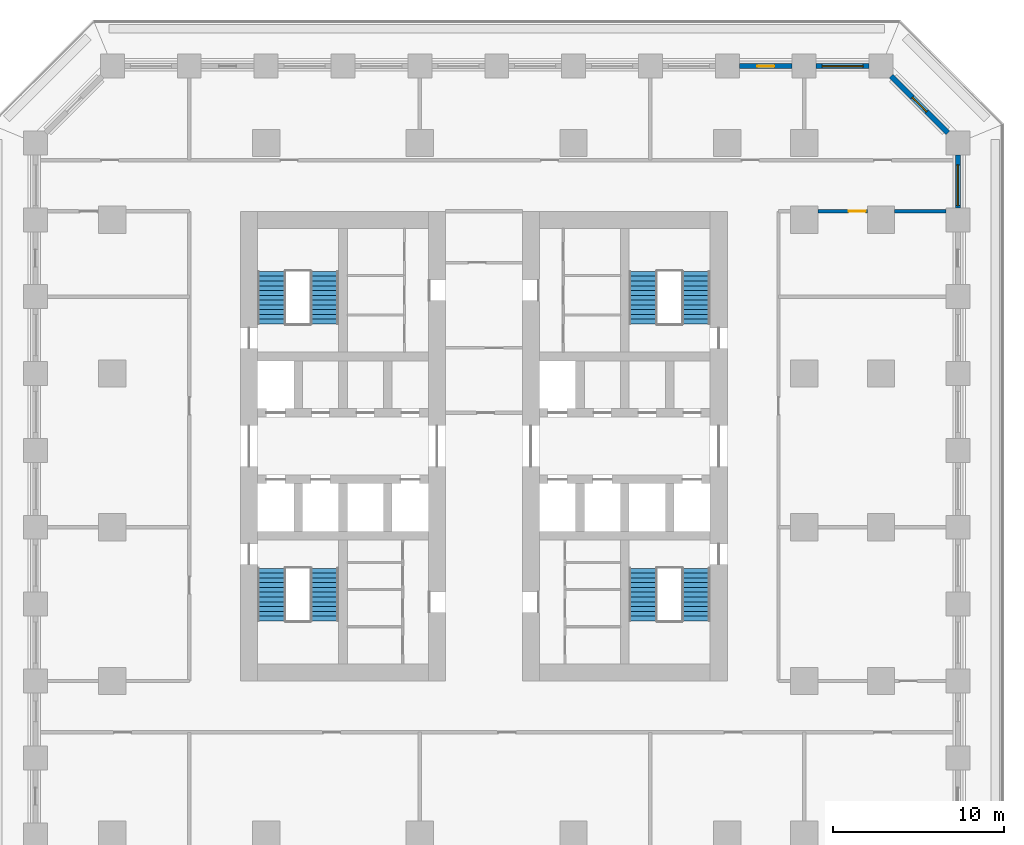
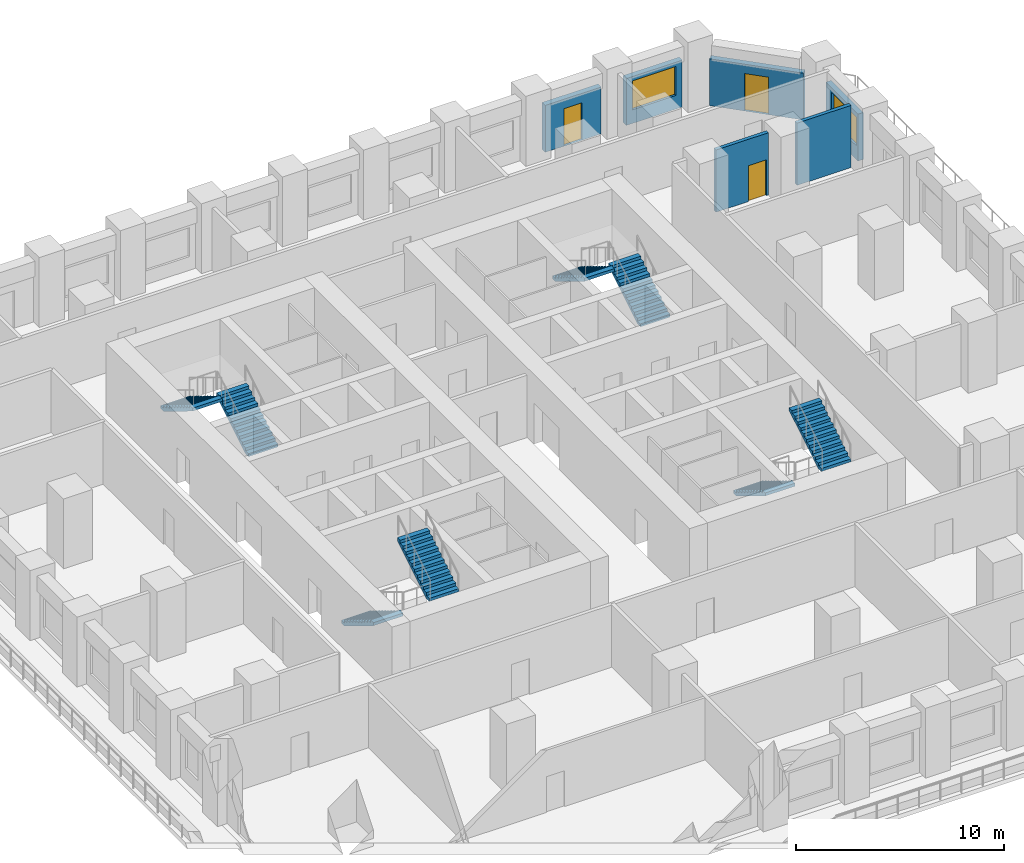
# One storey, part 8 of 11: 8 stair flights, 6 walls, 3 doors, 2 windows, 5 openings, 4 elements without a shape of their own.
"""IFC4 building model written with IfcOpenShell, lengths in metres."""

from ifc_helpers import new_model, si_unit, direction, frame, frame_2d, origin, place, context, subcontext, project, spatial, polyline, rectangle, outline, extrude, material, layer, layer_set, type_object, element, fill, aggregate, save


model = new_model("IFC4")

# Units and contexts
model_context = context("Model", 3, precision=1e-05, world=origin(), true_north=direction((0.0, 1.0)))
body_context = subcontext(model_context, "Body", "Model", "MODEL_VIEW")
ifc_project = project(units=[si_unit("LENGTHUNIT", "METRE"), si_unit("AREAUNIT", "SQUARE_METRE"), si_unit("VOLUMEUNIT", "CUBIC_METRE"), si_unit("PLANEANGLEUNIT", "RADIAN"), si_unit("MASSUNIT", "GRAM", prefix="KILO")], contexts=[model_context])

# Site, building, storey
site_placement = place(None, origin())
site = spatial("IfcSite", under=ifc_project, at=site_placement, CompositionType="ELEMENT")
building_placement = place(site_placement, origin())
building = spatial("IfcBuilding", under=site, at=building_placement, Name="Corbel Stack Research Tower", CompositionType="ELEMENT")
storey_placement = place(building_placement, frame((0.0, 0.0, 54.199951171875)))
storey = spatial("IfcBuildingStorey", under=building, at=storey_placement, Name="L12", CompositionType="ELEMENT", Elevation=54.199951171875)

# Wall, opening, door
ifc_material_1 = material(Name="Fire-rated gypsum board partition on steel studs", Category="steel")
ifc_layer_1 = layer(ifc_material_1, 0.199951171875)
ifc_layer_set_1 = layer_set([ifc_layer_1], Name="Fire-rated gypsum board partition on steel studs")
wall_type_1 = type_object("IfcWallType", Name="Fire-rated partition 200 EI 60", PredefinedType="PARTITIONING", material=ifc_layer_set_1)
wall_1_placement = place(storey_placement, frame((26.199951171875, 18.5, 0.0), z_axis=(0.0, 0.0, 1.0), x_axis=(-1.0, 0.0, 0.0)))
wall_1 = element("IfcWall", 1, at=wall_1_placement, inside=storey, type_object=wall_type_1, Name="Partition L12-034", PredefinedType="PARTITIONING", context=body_context, shape_type="SweptSolid", body=[
    extrude(rectangle(XDim=2.89990234375, YDim=0.199951171875, at=frame_2d((1.449951171875, 0.0))), origin(), (0.0, 0.0, 1.0), 3.650146484375),
])
opening_1_placement = place(wall_1_placement, frame((0.10009765625, 0.0, 0.0)))
opening_1 = element("IfcOpeningElement", 2, at=opening_1_placement, cuts=wall_1, Name="Opening B2V1-018", PredefinedType="OPENING", context=body_context, shape_type="SweptSolid", body=[
    extrude(rectangle(XDim=1.0, YDim=2.10009765625, at=frame_2d((0.5, 1.050048828125))), frame((0.0, 0.10986328125, 0.0), z_axis=(0.0, -1.0, 0.0), x_axis=(1.0, 0.0, 0.0)), (0.0, 0.0, 1.0), 0.219970703125),
])
ifc_material_2 = material(Name="Painted steel fire door", Category="steel")
door_type_1 = type_object("IfcDoorType", Name="Fire door FD30S 1000 x 2100", OperationType="NOTDEFINED", PredefinedType="DOOR", material=ifc_material_2)
door_1_placement = place(opening_1_placement, origin())
door_1 = element("IfcDoor", 3, at=door_1_placement, inside=storey, type_object=door_type_1, Name="Door B2V1-018", OperationType="SINGLE_SWING_LEFT", OverallHeight=2.10009765625, OverallWidth=1.0, PredefinedType="DOOR", context=body_context, shape_type="SweptSolid", body=[
    extrude(rectangle(XDim=1.0, YDim=2.10009765625, at=frame_2d((0.5, 1.050048828125))), frame((0.0, 0.02490234375, 0.0), z_axis=(0.0, -1.0, 0.0), x_axis=(1.0, 0.0, 0.0)), (0.0, 0.0, 1.0), 0.050048828125),
])
fill(opening_1, door_1)

# Wall
wall_2_placement = place(storey_placement, frame((27.800048828125, 18.5, 0.0), z_axis=(0.0, 0.0, 1.0), x_axis=(1.0, 0.0, 0.0)))
element("IfcWall", 4, at=wall_2_placement, inside=storey, type_object=wall_type_1, Name="Partition L12-035", PredefinedType="PARTITIONING", context=body_context, shape_type="SweptSolid", body=[
    extrude(rectangle(XDim=3.0, YDim=0.199951171875, at=frame_2d((1.5, 0.0))), origin(), (0.0, 0.0, 1.0), 3.650146484375),
])

# Wall, opening, window
ifc_material_3 = material(Name="Concrete C45/55", Category="concrete")
ifc_layer_2 = layer(ifc_material_3, 0.300048828125)
ifc_layer_set_2 = layer_set([ifc_layer_2], Name="Concrete C45/55")
wall_type_2 = type_object("IfcWallType", Name="Terracotta-faced concrete wall 300", PredefinedType="SOLIDWALL", material=ifc_layer_set_2)
wall_3_placement = place(storey_placement, frame((31.5, 21.800048828125, 0.0), z_axis=(0.0, 0.0, 1.0), x_axis=(0.0, -1.0, 0.0)))
wall_3 = element("IfcWall", 5, at=wall_3_placement, inside=storey, type_object=wall_type_2, Name="Facade wall L12 E10", PredefinedType="SOLIDWALL", context=body_context, shape_type="SweptSolid", body=[
    extrude(rectangle(XDim=3.10009765625, YDim=0.300048828125, at=frame_2d((1.550048828125, 0.0))), origin(), (0.0, 0.0, 1.0), 2.75),
])
opening_2_placement = place(wall_3_placement, frame((0.574951171875, 0.0, 0.800048828125)))
opening_2 = element("IfcOpeningElement", 6, at=opening_2_placement, cuts=wall_3, Name="Opening W1", PredefinedType="OPENING", context=body_context, shape_type="SweptSolid", body=[
    extrude(rectangle(XDim=2.39990234375, YDim=1.699951171875, at=frame_2d((1.199951171875, 0.85009765625))), frame((0.0, 0.159912109375, 0.0), z_axis=(0.0, -1.0, 0.0), x_axis=(1.0, 0.0, 0.0)), (0.0, 0.0, 1.0), 0.320068359375),
])
ifc_material_4 = material(Name="Aluminium frame, clear double glazing", Category="aluminium")
window_type = type_object("IfcWindowType", Name="Window W1 2400 x 1700", PartitioningType="SINGLE_PANEL", PredefinedType="WINDOW", material=ifc_material_4)
window_1_placement = place(opening_2_placement, origin())
window_1 = element("IfcWindow", 7, at=window_1_placement, inside=storey, type_object=window_type, Name="Window W1 L12 E10", OverallHeight=1.699951171875, OverallWidth=2.39990234375, PartitioningType="SINGLE_PANEL", PredefinedType="WINDOW", context=body_context, shape_type="SweptSolid", body=[
    extrude(rectangle(XDim=2.39990234375, YDim=1.699951171875, at=frame_2d((1.199951171875, 0.85009765625))), frame((0.0, 0.030029296875, 0.0), z_axis=(0.0, -1.0, 0.0), x_axis=(1.0, 0.0, 0.0)), (0.0, 0.0, 1.0), 0.06005859375),
])
fill(opening_2, window_1)

# Wall, opening, door
wall_4_placement = place(storey_placement, frame((27.593994140625, 26.406005859375, 0.0), z_axis=(0.0, 0.0, 1.0), x_axis=(0.707106781187, -0.707106781187, 0.0)))
wall_4 = element("IfcWall", 8, at=wall_4_placement, inside=storey, type_object=wall_type_2, Name="Facade wall L12 NE01", PredefinedType="SOLIDWALL", context=body_context, shape_type="SweptSolid", body=[
    extrude(rectangle(XDim=4.683837890625, YDim=0.300048828125, at=frame_2d((2.341796875, 0.0))), origin(), (0.0, 0.0, 1.0), 2.75),
])
opening_3_placement = place(wall_4_placement, frame((1.741943359375, 0.0, 0.0)))
opening_3 = element("IfcOpeningElement", 9, at=opening_3_placement, cuts=wall_4, Name="Opening L12-B06", PredefinedType="OPENING", context=body_context, shape_type="SweptSolid", body=[
    extrude(rectangle(XDim=1.199951171875, YDim=2.199951171875, at=frame_2d((0.60009765625, 1.10009765625))), frame((0.0, 0.159912109375, 0.0), z_axis=(0.0, -1.0, 0.0), x_axis=(1.0, 0.0, 0.0)), (0.0, 0.0, 1.0), 0.320068359375),
])
ifc_material_5 = material(Name="Aluminium frame, clear double glazing", Category="aluminium")
door_type_2 = type_object("IfcDoorType", Name="Balcony door BD2 1200 x 2200", OperationType="NOTDEFINED", PredefinedType="DOOR", material=ifc_material_5)
door_2_placement = place(opening_3_placement, origin())
door_2 = element("IfcDoor", 10, at=door_2_placement, inside=storey, type_object=door_type_2, Name="Balcony door L12-B06", OperationType="SINGLE_SWING_LEFT", OverallHeight=2.199951171875, OverallWidth=1.199951171875, PredefinedType="DOOR", context=body_context, shape_type="SweptSolid", body=[
    extrude(rectangle(XDim=1.199951171875, YDim=2.199951171875, at=frame_2d((0.60009765625, 1.10009765625))), frame((0.0, 0.02490234375, 0.0), z_axis=(0.0, -1.0, 0.0), x_axis=(1.0, 0.0, 0.0)), (0.0, 0.0, 1.0), 0.050048828125),
])
fill(opening_3, door_2)

# Wall, opening, window
wall_5_placement = place(storey_placement, frame((23.199951171875, 27.0, 0.0), z_axis=(0.0, 0.0, 1.0), x_axis=(1.0, 0.0, 0.0)))
wall_5 = element("IfcWall", 11, at=wall_5_placement, inside=storey, type_object=wall_type_2, Name="Facade wall L12 N01", PredefinedType="SOLIDWALL", context=body_context, shape_type="SweptSolid", body=[
    extrude(rectangle(XDim=3.10009765625, YDim=0.300048828125, at=frame_2d((1.550048828125, 0.0))), origin(), (0.0, 0.0, 1.0), 2.75),
])
opening_4_placement = place(wall_5_placement, frame((0.35009765625, 0.0, 0.800048828125)))
opening_4 = element("IfcOpeningElement", 12, at=opening_4_placement, cuts=wall_5, Name="Opening W1", PredefinedType="OPENING", context=body_context, shape_type="SweptSolid", body=[
    extrude(rectangle(XDim=2.39990234375, YDim=1.699951171875, at=frame_2d((1.199951171875, 0.85009765625))), frame((0.0, 0.159912109375, 0.0), z_axis=(0.0, -1.0, 0.0), x_axis=(1.0, 0.0, 0.0)), (0.0, 0.0, 1.0), 0.320068359375),
])
window_2_placement = place(opening_4_placement, origin())
window_2 = element("IfcWindow", 13, at=window_2_placement, inside=storey, type_object=window_type, Name="Window W1 L12 N01", OverallHeight=1.699951171875, OverallWidth=2.39990234375, PartitioningType="SINGLE_PANEL", PredefinedType="WINDOW", context=body_context, shape_type="SweptSolid", body=[
    extrude(rectangle(XDim=2.39990234375, YDim=1.699951171875, at=frame_2d((1.199951171875, 0.85009765625))), frame((0.0, 0.030029296875, 0.0), z_axis=(0.0, -1.0, 0.0), x_axis=(1.0, 0.0, 0.0)), (0.0, 0.0, 1.0), 0.06005859375),
])
fill(opening_4, window_2)

# Wall, opening, door
wall_6_placement = place(storey_placement, frame((18.699951171875, 27.0, 0.0), z_axis=(0.0, 0.0, 1.0), x_axis=(1.0, 0.0, 0.0)))
wall_6 = element("IfcWall", 14, at=wall_6_placement, inside=storey, type_object=wall_type_2, Name="Facade wall L12 N02", PredefinedType="SOLIDWALL", context=body_context, shape_type="SweptSolid", body=[
    extrude(rectangle(XDim=3.10009765625, YDim=0.300048828125, at=frame_2d((1.550048828125, 0.0))), origin(), (0.0, 0.0, 1.0), 2.75),
])
opening_5_placement = place(wall_6_placement, frame((1.050048828125, 0.0, 0.0)))
opening_5 = element("IfcOpeningElement", 15, at=opening_5_placement, cuts=wall_6, Name="Opening L12-B07", PredefinedType="OPENING", context=body_context, shape_type="SweptSolid", body=[
    extrude(rectangle(XDim=1.0, YDim=2.199951171875, at=frame_2d((0.5, 1.10009765625))), frame((0.0, 0.159912109375, 0.0), z_axis=(0.0, -1.0, 0.0), x_axis=(1.0, 0.0, 0.0)), (0.0, 0.0, 1.0), 0.320068359375),
])
ifc_material_6 = material(Name="Aluminium frame, clear double glazing", Category="aluminium")
door_type_3 = type_object("IfcDoorType", Name="Balcony door BD1 1000 x 2200", OperationType="NOTDEFINED", PredefinedType="DOOR", material=ifc_material_6)
door_3_placement = place(opening_5_placement, origin())
door_3 = element("IfcDoor", 16, at=door_3_placement, inside=storey, type_object=door_type_3, Name="Balcony door L12-B07", OperationType="SINGLE_SWING_RIGHT", OverallHeight=2.199951171875, OverallWidth=1.0, PredefinedType="DOOR", context=body_context, shape_type="SweptSolid", body=[
    extrude(rectangle(XDim=1.0, YDim=2.199951171875, at=frame_2d((0.5, 1.10009765625))), frame((0.0, 0.02490234375, 0.0), z_axis=(0.0, -1.0, 0.0), x_axis=(1.0, 0.0, 0.0)), (0.0, 0.0, 1.0), 0.050048828125),
])
fill(opening_5, door_3)

# Stair, stair flights
ifc_material_7 = material(Name="Concrete C40/50", Category="concrete")
stair_type = type_object("IfcStairType", Name="Exit stair 24 risers", PredefinedType="HALF_TURN_STAIR", material=ifc_material_7)
stair_1_placement = place(storey_placement, origin())
stair_1 = element("IfcStair", 17, at=stair_1_placement, inside=storey, type_object=stair_type, Name="L12 Exit stair ST-W1", PredefinedType="HALF_TURN_STAIR")
ifc_material_8 = material(Name="Concrete C40/50", Category="concrete")
stair_flight_type = type_object("IfcStairFlightType", Name="Stair flight 12 risers", PredefinedType="STRAIGHT", material=ifc_material_8)
stair_flight_1_placement = place(storey_placement, frame((-8.675048828125, -2.39990234375, 0.0), z_axis=(0.0, 0.0, 1.0), x_axis=(0.0, -1.0, 0.0)))
stair_flight_1 = element("IfcStairFlight", 18, at=stair_flight_1_placement, type_object=stair_flight_type, Name="ST-W1 flight 1", NumberOfRisers=12, NumberOfTreads=11, PredefinedType="STRAIGHT", RiserHeight=0.170833333, TreadLength=0.28, context=body_context, shape_type="SweptSolid", body=[
    extrude(outline(polyline([(0.0, 0.0), (0.0, 0.1708984375), (0.280029296875, 0.1708984375), (0.280029296875, 0.341552734375), (0.56005859375, 0.341552734375), (0.56005859375, 0.512451171875), (0.840087890625, 0.512451171875), (0.840087890625, 0.683349609375), (1.1201171875, 0.683349609375), (1.1201171875, 0.854248046875), (1.39990234375, 0.854248046875), (1.39990234375, 1.02490234375), (1.679931640625, 1.02490234375), (1.679931640625, 1.19580078125), (1.9599609375, 1.19580078125), (1.9599609375, 1.36669921875), (2.239990234375, 1.36669921875), (2.239990234375, 1.53759765625), (2.52001953125, 1.53759765625), (2.52001953125, 1.708251953125), (2.800048828125, 1.708251953125), (2.800048828125, 1.879150390625), (3.080078125, 1.879150390625), (3.080078125, 2.050048828125), (3.080078125, 1.70361328125), (0.287841796875, 0.0), (0.0, 0.0)])), frame((0.0, 0.824951171875, 0.0), z_axis=(0.0, -1.0, 0.0), x_axis=(1.0, 0.0, 0.0)), (0.0, 0.0, 1.0), 1.64990234375),
])
stair_flight_2_placement = place(storey_placement, frame((-5.574951171875, -5.47998046875, 2.050048828125), z_axis=(0.0, 0.0, 1.0), x_axis=(0.0, 1.0, 0.0)))
stair_flight_2 = element("IfcStairFlight", 19, at=stair_flight_2_placement, type_object=stair_flight_type, Name="ST-W1 flight 2", NumberOfRisers=12, NumberOfTreads=11, PredefinedType="STRAIGHT", RiserHeight=0.170833333, TreadLength=0.28, context=body_context, shape_type="SweptSolid", body=[
    extrude(outline(polyline([(0.0, 0.0), (0.0, 0.1708984375), (0.280029296875, 0.1708984375), (0.280029296875, 0.341552734375), (0.56005859375, 0.341552734375), (0.56005859375, 0.512451171875), (0.840087890625, 0.512451171875), (0.840087890625, 0.683349609375), (1.1201171875, 0.683349609375), (1.1201171875, 0.854248046875), (1.39990234375, 0.854248046875), (1.39990234375, 1.02490234375), (1.679931640625, 1.02490234375), (1.679931640625, 1.19580078125), (1.9599609375, 1.19580078125), (1.9599609375, 1.36669921875), (2.239990234375, 1.36669921875), (2.239990234375, 1.53759765625), (2.52001953125, 1.53759765625), (2.52001953125, 1.708251953125), (2.800048828125, 1.708251953125), (2.800048828125, 1.879150390625), (3.080078125, 1.879150390625), (3.080078125, 2.050048828125), (3.080078125, 1.70361328125), (0.287841796875, 0.0), (0.0, 0.0)])), frame((0.0, 0.824951171875, 0.0), z_axis=(0.0, -1.0, 0.0), x_axis=(1.0, 0.0, 0.0)), (0.0, 0.0, 1.0), 1.64990234375),
])
aggregate(stair_1, [stair_flight_1, stair_flight_2])

stair_2_placement = place(storey_placement, origin())
stair_2 = element("IfcStair", 20, at=stair_2_placement, inside=storey, type_object=stair_type, Name="L12 Exit stair ST-W2", PredefinedType="HALF_TURN_STAIR")
stair_flight_3_placement = place(storey_placement, frame((-5.574951171875, 11.89990234375, 0.0), z_axis=(0.0, 0.0, 1.0), x_axis=(0.0, 1.0, 0.0)))
stair_flight_3 = element("IfcStairFlight", 21, at=stair_flight_3_placement, type_object=stair_flight_type, Name="ST-W2 flight 1", NumberOfRisers=12, NumberOfTreads=11, PredefinedType="STRAIGHT", RiserHeight=0.170833333, TreadLength=0.28, context=body_context, shape_type="SweptSolid", body=[
    extrude(outline(polyline([(0.0, 0.0), (0.0, 0.1708984375), (0.280029296875, 0.1708984375), (0.280029296875, 0.341552734375), (0.56005859375, 0.341552734375), (0.56005859375, 0.512451171875), (0.840087890625, 0.512451171875), (0.840087890625, 0.683349609375), (1.1201171875, 0.683349609375), (1.1201171875, 0.854248046875), (1.39990234375, 0.854248046875), (1.39990234375, 1.02490234375), (1.679931640625, 1.02490234375), (1.679931640625, 1.19580078125), (1.9599609375, 1.19580078125), (1.9599609375, 1.36669921875), (2.239990234375, 1.36669921875), (2.239990234375, 1.53759765625), (2.52001953125, 1.53759765625), (2.52001953125, 1.708251953125), (2.800048828125, 1.708251953125), (2.800048828125, 1.879150390625), (3.080078125, 1.879150390625), (3.080078125, 2.050048828125), (3.080078125, 1.70361328125), (0.287841796875, 0.0), (0.0, 0.0)])), frame((0.0, 0.824951171875, 0.0), z_axis=(0.0, -1.0, 0.0), x_axis=(1.0, 0.0, 0.0)), (0.0, 0.0, 1.0), 1.64990234375),
])
stair_flight_4_placement = place(storey_placement, frame((-8.675048828125, 14.97998046875, 2.050048828125), z_axis=(0.0, 0.0, 1.0), x_axis=(0.0, -1.0, 0.0)))
stair_flight_4 = element("IfcStairFlight", 22, at=stair_flight_4_placement, type_object=stair_flight_type, Name="ST-W2 flight 2", NumberOfRisers=12, NumberOfTreads=11, PredefinedType="STRAIGHT", RiserHeight=0.170833333, TreadLength=0.28, context=body_context, shape_type="SweptSolid", body=[
    extrude(outline(polyline([(0.0, 0.0), (0.0, 0.1708984375), (0.280029296875, 0.1708984375), (0.280029296875, 0.341552734375), (0.56005859375, 0.341552734375), (0.56005859375, 0.512451171875), (0.840087890625, 0.512451171875), (0.840087890625, 0.683349609375), (1.1201171875, 0.683349609375), (1.1201171875, 0.854248046875), (1.39990234375, 0.854248046875), (1.39990234375, 1.02490234375), (1.679931640625, 1.02490234375), (1.679931640625, 1.19580078125), (1.9599609375, 1.19580078125), (1.9599609375, 1.36669921875), (2.239990234375, 1.36669921875), (2.239990234375, 1.53759765625), (2.52001953125, 1.53759765625), (2.52001953125, 1.708251953125), (2.800048828125, 1.708251953125), (2.800048828125, 1.879150390625), (3.080078125, 1.879150390625), (3.080078125, 2.050048828125), (3.080078125, 1.70361328125), (0.287841796875, 0.0), (0.0, 0.0)])), frame((0.0, 0.824951171875, 0.0), z_axis=(0.0, -1.0, 0.0), x_axis=(1.0, 0.0, 0.0)), (0.0, 0.0, 1.0), 1.64990234375),
])
aggregate(stair_2, [stair_flight_3, stair_flight_4])

stair_3_placement = place(storey_placement, origin())
stair_3 = element("IfcStair", 23, at=stair_3_placement, inside=storey, type_object=stair_type, Name="L12 Exit stair ST-E1", PredefinedType="HALF_TURN_STAIR")
stair_flight_5_placement = place(storey_placement, frame((13.074951171875, -2.39990234375, 0.0), z_axis=(0.0, 0.0, 1.0), x_axis=(0.0, -1.0, 0.0)))
stair_flight_5 = element("IfcStairFlight", 24, at=stair_flight_5_placement, type_object=stair_flight_type, Name="ST-E1 flight 1", NumberOfRisers=12, NumberOfTreads=11, PredefinedType="STRAIGHT", RiserHeight=0.170833333, TreadLength=0.28, context=body_context, shape_type="SweptSolid", body=[
    extrude(outline(polyline([(0.0, 0.0), (0.0, 0.1708984375), (0.280029296875, 0.1708984375), (0.280029296875, 0.341552734375), (0.56005859375, 0.341552734375), (0.56005859375, 0.512451171875), (0.840087890625, 0.512451171875), (0.840087890625, 0.683349609375), (1.1201171875, 0.683349609375), (1.1201171875, 0.854248046875), (1.39990234375, 0.854248046875), (1.39990234375, 1.02490234375), (1.679931640625, 1.02490234375), (1.679931640625, 1.19580078125), (1.9599609375, 1.19580078125), (1.9599609375, 1.36669921875), (2.239990234375, 1.36669921875), (2.239990234375, 1.53759765625), (2.52001953125, 1.53759765625), (2.52001953125, 1.708251953125), (2.800048828125, 1.708251953125), (2.800048828125, 1.879150390625), (3.080078125, 1.879150390625), (3.080078125, 2.050048828125), (3.080078125, 1.70361328125), (0.287841796875, 0.0), (0.0, 0.0)])), frame((0.0, 0.824951171875, 0.0), z_axis=(0.0, -1.0, 0.0), x_axis=(1.0, 0.0, 0.0)), (0.0, 0.0, 1.0), 1.64990234375),
])
stair_flight_6_placement = place(storey_placement, frame((16.175048828125, -5.47998046875, 2.050048828125), z_axis=(0.0, 0.0, 1.0), x_axis=(0.0, 1.0, 0.0)))
stair_flight_6 = element("IfcStairFlight", 25, at=stair_flight_6_placement, type_object=stair_flight_type, Name="ST-E1 flight 2", NumberOfRisers=12, NumberOfTreads=11, PredefinedType="STRAIGHT", RiserHeight=0.170833333, TreadLength=0.28, context=body_context, shape_type="SweptSolid", body=[
    extrude(outline(polyline([(0.0, 0.0), (0.0, 0.1708984375), (0.280029296875, 0.1708984375), (0.280029296875, 0.341552734375), (0.56005859375, 0.341552734375), (0.56005859375, 0.512451171875), (0.840087890625, 0.512451171875), (0.840087890625, 0.683349609375), (1.1201171875, 0.683349609375), (1.1201171875, 0.854248046875), (1.39990234375, 0.854248046875), (1.39990234375, 1.02490234375), (1.679931640625, 1.02490234375), (1.679931640625, 1.19580078125), (1.9599609375, 1.19580078125), (1.9599609375, 1.36669921875), (2.239990234375, 1.36669921875), (2.239990234375, 1.53759765625), (2.52001953125, 1.53759765625), (2.52001953125, 1.708251953125), (2.800048828125, 1.708251953125), (2.800048828125, 1.879150390625), (3.080078125, 1.879150390625), (3.080078125, 2.050048828125), (3.080078125, 1.70361328125), (0.287841796875, 0.0), (0.0, 0.0)])), frame((0.0, 0.824951171875, 0.0), z_axis=(0.0, -1.0, 0.0), x_axis=(1.0, 0.0, 0.0)), (0.0, 0.0, 1.0), 1.64990234375),
])
aggregate(stair_3, [stair_flight_5, stair_flight_6])

stair_4_placement = place(storey_placement, origin())
stair_4 = element("IfcStair", 26, at=stair_4_placement, inside=storey, type_object=stair_type, Name="L12 Exit stair ST-E2", PredefinedType="HALF_TURN_STAIR")
stair_flight_7_placement = place(storey_placement, frame((16.175048828125, 11.89990234375, 0.0), z_axis=(0.0, 0.0, 1.0), x_axis=(0.0, 1.0, 0.0)))
stair_flight_7 = element("IfcStairFlight", 27, at=stair_flight_7_placement, type_object=stair_flight_type, Name="ST-E2 flight 1", NumberOfRisers=12, NumberOfTreads=11, PredefinedType="STRAIGHT", RiserHeight=0.170833333, TreadLength=0.28, context=body_context, shape_type="SweptSolid", body=[
    extrude(outline(polyline([(0.0, 0.0), (0.0, 0.1708984375), (0.280029296875, 0.1708984375), (0.280029296875, 0.341552734375), (0.56005859375, 0.341552734375), (0.56005859375, 0.512451171875), (0.840087890625, 0.512451171875), (0.840087890625, 0.683349609375), (1.1201171875, 0.683349609375), (1.1201171875, 0.854248046875), (1.39990234375, 0.854248046875), (1.39990234375, 1.02490234375), (1.679931640625, 1.02490234375), (1.679931640625, 1.19580078125), (1.9599609375, 1.19580078125), (1.9599609375, 1.36669921875), (2.239990234375, 1.36669921875), (2.239990234375, 1.53759765625), (2.52001953125, 1.53759765625), (2.52001953125, 1.708251953125), (2.800048828125, 1.708251953125), (2.800048828125, 1.879150390625), (3.080078125, 1.879150390625), (3.080078125, 2.050048828125), (3.080078125, 1.70361328125), (0.287841796875, 0.0), (0.0, 0.0)])), frame((0.0, 0.824951171875, 0.0), z_axis=(0.0, -1.0, 0.0), x_axis=(1.0, 0.0, 0.0)), (0.0, 0.0, 1.0), 1.64990234375),
])
stair_flight_8_placement = place(storey_placement, frame((13.074951171875, 14.97998046875, 2.050048828125), z_axis=(0.0, 0.0, 1.0), x_axis=(0.0, -1.0, 0.0)))
stair_flight_8 = element("IfcStairFlight", 28, at=stair_flight_8_placement, type_object=stair_flight_type, Name="ST-E2 flight 2", NumberOfRisers=12, NumberOfTreads=11, PredefinedType="STRAIGHT", RiserHeight=0.170833333, TreadLength=0.28, context=body_context, shape_type="SweptSolid", body=[
    extrude(outline(polyline([(0.0, 0.0), (0.0, 0.1708984375), (0.280029296875, 0.1708984375), (0.280029296875, 0.341552734375), (0.56005859375, 0.341552734375), (0.56005859375, 0.512451171875), (0.840087890625, 0.512451171875), (0.840087890625, 0.683349609375), (1.1201171875, 0.683349609375), (1.1201171875, 0.854248046875), (1.39990234375, 0.854248046875), (1.39990234375, 1.02490234375), (1.679931640625, 1.02490234375), (1.679931640625, 1.19580078125), (1.9599609375, 1.19580078125), (1.9599609375, 1.36669921875), (2.239990234375, 1.36669921875), (2.239990234375, 1.53759765625), (2.52001953125, 1.53759765625), (2.52001953125, 1.708251953125), (2.800048828125, 1.708251953125), (2.800048828125, 1.879150390625), (3.080078125, 1.879150390625), (3.080078125, 2.050048828125), (3.080078125, 1.70361328125), (0.287841796875, 0.0), (0.0, 0.0)])), frame((0.0, 0.824951171875, 0.0), z_axis=(0.0, -1.0, 0.0), x_axis=(1.0, 0.0, 0.0)), (0.0, 0.0, 1.0), 1.64990234375),
])
aggregate(stair_4, [stair_flight_7, stair_flight_8])

save(model, "model.ifc")
